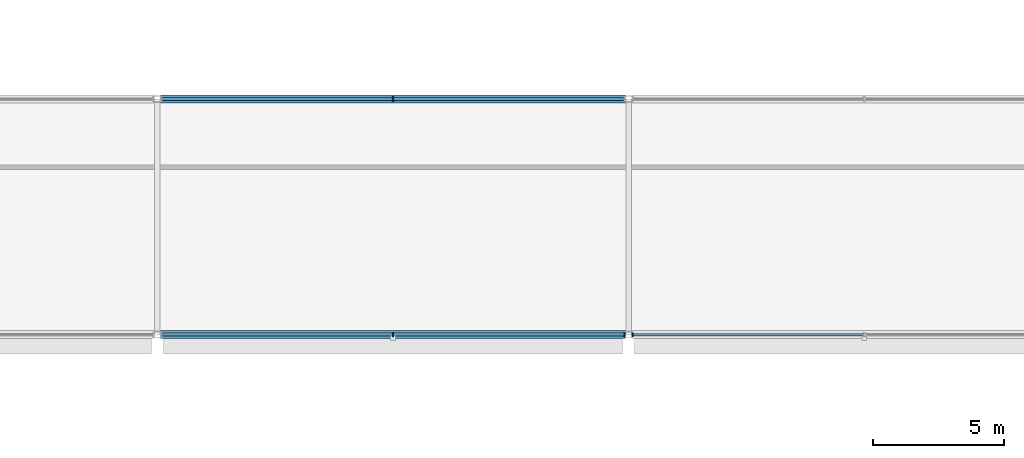
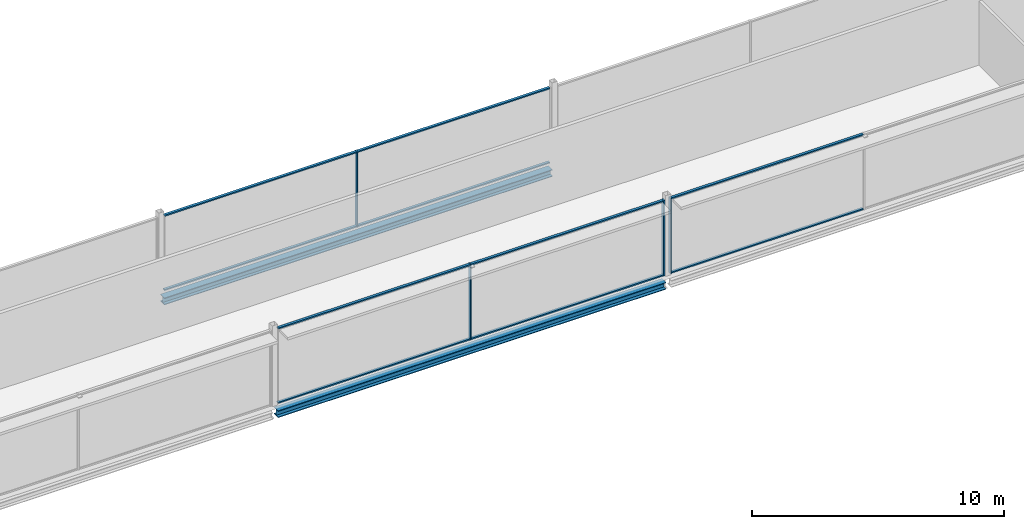
# One storey, part 35 of 96: 14 members, 2 beams, 3 elements without a shape of their own.
"""IFC4 building model written with IfcOpenShell, lengths in metres."""

from ifc_helpers import new_model, si_unit, direction, frame, origin, origin_2d, place, context, subcontext, project, spatial, rectangle, i_section, extrude, material, layer, layer_set, material_profile, profile_set, type_object, element, aggregate, save


model = new_model("IFC4")

# Units and contexts
model_context = context("Model", 3, precision=1e-05, world=origin(), true_north=direction((0.0, 1.0)))
body_context = subcontext(model_context, "Body", "Model", "MODEL_VIEW")
ifc_project = project(units=[si_unit("LENGTHUNIT", "METRE"), si_unit("AREAUNIT", "SQUARE_METRE"), si_unit("VOLUMEUNIT", "CUBIC_METRE"), si_unit("PLANEANGLEUNIT", "RADIAN"), si_unit("MASSUNIT", "GRAM", prefix="KILO")], contexts=[model_context])

# Site, building, storey
site_placement = place(None, origin())
site = spatial("IfcSite", under=ifc_project, at=site_placement, CompositionType="ELEMENT")
building_placement = place(site_placement, origin())
building = spatial("IfcBuilding", under=site, at=building_placement, Name="Kisiwana Market Hall", CompositionType="ELEMENT")
storey_placement = place(building_placement, frame((0.0, 0.0, 25.5)))
storey = spatial("IfcBuildingStorey", under=building, at=storey_placement, Name="L05", CompositionType="ELEMENT", Elevation=25.5)

# Beams
ifc_material_1 = material(Name="Steel S355", Category="steel")
ifc_material_profile_1 = material_profile(ifc_material_1, i_section(OverallWidth=0.314453125, OverallDepth=0.33984375, WebThickness=0.01904296875, FlangeThickness=0.031494140625, at=origin_2d()), Name="UC 305x305x198")
ifc_profile_set_1 = profile_set([ifc_material_profile_1], Name="Steel S355")
beam_type = type_object("IfcBeamType", Name="BM-SKYBR-CHORD", PredefinedType="BEAM", material=ifc_profile_set_1)
for number, where, z_axis, x_axis, name in (
    (1, (63.12109375, 93.0, -0.43505859375), (1.0, 0.0, 0.0), (0.0, 1.0, 0.0), "Floor beam B-1642"),
    (2, (63.12109375, 102.0, -0.43505859375), (1.0, 0.0, 0.0), (0.0, 1.0, 0.0), "Floor beam B-1652"),
):
    element("IfcBeam", number, at=place(storey_placement, frame(where, z_axis=z_axis, x_axis=x_axis)), inside=storey, type_object=beam_type, Name=name, PredefinedType="BEAM", context=body_context, shape_type="SweptSolid", body=[
        extrude(i_section(OverallWidth=0.314453125, OverallDepth=0.33984375, WebThickness=0.01904296875, FlangeThickness=0.031494140625, at=origin_2d()), origin(), (0.0, 0.0, 1.0), 17.7578125),
    ])

# Curtain wall, members
ifc_material_2 = material(Name="Double-glazed solar-control low-E IGU", Category="glass")
ifc_layer = layer(ifc_material_2, 0.159912109375)
ifc_layer_set = layer_set([ifc_layer], Name="CW-ZNA-EW-8200")
curtain_wall_type = type_object("IfcCurtainWallType", Name="CW-ZNA-EW-8200", PredefinedType="USERDEFINED", material=ifc_layer_set)
curtain_wall_1_placement = place(storey_placement, origin())
curtain_wall_1 = element("IfcCurtainWall", 3, at=curtain_wall_1_placement, inside=storey, type_object=curtain_wall_type, Name="Unitised curtain wall CW-145 (L05)", ObjectType="UNITISED CURTAIN WALL", PredefinedType="USERDEFINED")
ifc_material_3 = material(Name="Aluminium alloy 6063-T6", Category="aluminium")
ifc_material_profile_2 = material_profile(ifc_material_3, rectangle(XDim=0.06005859375, YDim=0.159912109375, at=origin_2d()), Name="ALU MULLION 60x160")
ifc_profile_set_2 = profile_set([ifc_material_profile_2], Name="Aluminium alloy 6063-T6")
member_type_1 = type_object("IfcMemberType", Name="CW-MULL-60x160", PredefinedType="MULLION", material=ifc_profile_set_2)
member_1_placement = place(storey_placement, frame((72.0, 93.0, 0.0), z_axis=(0.0, 0.0, 1.0), x_axis=(1.0, 0.0, 0.0)))
member_1 = element("IfcMember", 4, at=member_1_placement, type_object=member_type_1, Name="CW-145 mullion 2", PredefinedType="MULLION", context=body_context, shape_type="SweptSolid", body=[
    extrude(rectangle(XDim=0.06005859375, YDim=0.159912109375, at=origin_2d()), origin(), (0.0, 0.0, 1.0), 3.655029296875),
])
member_2_placement = place(storey_placement, frame((80.844970703125, 93.0, 0.0), z_axis=(0.0, 0.0, 1.0), x_axis=(1.0, 0.0, 0.0)))
member_2 = element("IfcMember", 5, at=member_2_placement, type_object=member_type_1, Name="CW-145 mullion 3", PredefinedType="MULLION", context=body_context, shape_type="SweptSolid", body=[
    extrude(rectangle(XDim=0.06005859375, YDim=0.159912109375, at=origin_2d()), origin(), (0.0, 0.0, 1.0), 3.655029296875),
])

# Curtain wall, member
curtain_wall_2_placement = place(storey_placement, origin())
curtain_wall_2 = element("IfcCurtainWall", 6, at=curtain_wall_2_placement, inside=storey, type_object=curtain_wall_type, Name="Unitised curtain wall CW-146 (L05)", ObjectType="UNITISED CURTAIN WALL", PredefinedType="USERDEFINED")
member_3_placement = place(storey_placement, frame((81.155029296875, 93.0, 0.0), z_axis=(0.0, 0.0, 1.0), x_axis=(1.0, 0.0, 0.0)))
member_3 = element("IfcMember", 7, at=member_3_placement, type_object=member_type_1, Name="CW-146 mullion 1", PredefinedType="MULLION", context=body_context, shape_type="SweptSolid", body=[
    extrude(rectangle(XDim=0.06005859375, YDim=0.159912109375, at=origin_2d()), origin(), (0.0, 0.0, 1.0), 3.655029296875),
])

curtain_wall_3_placement = place(storey_placement, origin())
curtain_wall_3 = element("IfcCurtainWall", 8, at=curtain_wall_3_placement, inside=storey, type_object=curtain_wall_type, Name="Unitised curtain wall CW-151 (L05)", ObjectType="UNITISED CURTAIN WALL", PredefinedType="USERDEFINED")
member_4_placement = place(storey_placement, frame((72.0, 102.0, 0.0), z_axis=(0.0, 0.0, 1.0), x_axis=(1.0, 0.0, 0.0)))
member_4 = element("IfcMember", 9, at=member_4_placement, type_object=member_type_1, Name="CW-151 mullion 2", PredefinedType="MULLION", context=body_context, shape_type="SweptSolid", body=[
    extrude(rectangle(XDim=0.06005859375, YDim=0.159912109375, at=origin_2d()), origin(), (0.0, 0.0, 1.0), 3.655029296875),
])

# Member
ifc_material_4 = material(Name="Aluminium alloy 6063-T6", Category="aluminium")
ifc_material_profile_3 = material_profile(ifc_material_4, rectangle(XDim=0.1201171875, YDim=0.06005859375, at=origin_2d()), Name="ALU TRANSOM 60x120")
ifc_profile_set_3 = profile_set([ifc_material_profile_3], Name="Aluminium alloy 6063-T6")
member_type_2 = type_object("IfcMemberType", Name="CW-TRAN-60x120", PredefinedType="USERDEFINED", material=ifc_profile_set_3)
member_5_placement = place(storey_placement, frame((63.18505859375, 93.0, 0.030029296875), z_axis=(1.0, 0.0, 0.0), x_axis=(0.0, 1.0, 0.0)))
member_5 = element("IfcMember", 10, at=member_5_placement, type_object=member_type_2, Name="CW-145 transom 1.1", ObjectType="TRANSOM", PredefinedType="USERDEFINED", context=body_context, shape_type="SweptSolid", body=[
    extrude(rectangle(XDim=0.1201171875, YDim=0.06005859375, at=origin_2d()), origin(), (0.0, 0.0, 1.0), 8.784912109375),
])

member_6_placement = place(storey_placement, frame((63.18505859375, 93.0, 3.625), z_axis=(1.0, 0.0, 0.0), x_axis=(0.0, 1.0, 0.0)))
member_6 = element("IfcMember", 11, at=member_6_placement, type_object=member_type_2, Name="CW-145 transom 1.2", ObjectType="TRANSOM", PredefinedType="USERDEFINED", context=body_context, shape_type="SweptSolid", body=[
    extrude(rectangle(XDim=0.1201171875, YDim=0.06005859375, at=origin_2d()), origin(), (0.0, 0.0, 1.0), 8.784912109375),
])

member_7_placement = place(storey_placement, frame((72.030029296875, 93.0, 0.030029296875), z_axis=(1.0, 0.0, 0.0), x_axis=(0.0, 1.0, 0.0)))
member_7 = element("IfcMember", 12, at=member_7_placement, type_object=member_type_2, Name="CW-145 transom 2.1", ObjectType="TRANSOM", PredefinedType="USERDEFINED", context=body_context, shape_type="SweptSolid", body=[
    extrude(rectangle(XDim=0.1201171875, YDim=0.06005859375, at=origin_2d()), origin(), (0.0, 0.0, 1.0), 8.784912109375),
])

member_8_placement = place(storey_placement, frame((72.030029296875, 93.0, 3.625), z_axis=(1.0, 0.0, 0.0), x_axis=(0.0, 1.0, 0.0)))
member_8 = element("IfcMember", 13, at=member_8_placement, type_object=member_type_2, Name="CW-145 transom 2.2", ObjectType="TRANSOM", PredefinedType="USERDEFINED", context=body_context, shape_type="SweptSolid", body=[
    extrude(rectangle(XDim=0.1201171875, YDim=0.06005859375, at=origin_2d()), origin(), (0.0, 0.0, 1.0), 8.784912109375),
])

aggregate(curtain_wall_1, [member_1, member_2, member_5, member_6, member_7, member_8])

member_9_placement = place(storey_placement, frame((81.18505859375, 93.0, 0.030029296875), z_axis=(1.0, 0.0, 0.0), x_axis=(0.0, 1.0, 0.0)))
member_9 = element("IfcMember", 14, at=member_9_placement, type_object=member_type_2, Name="CW-146 transom 1.1", ObjectType="TRANSOM", PredefinedType="USERDEFINED", context=body_context, shape_type="SweptSolid", body=[
    extrude(rectangle(XDim=0.1201171875, YDim=0.06005859375, at=origin_2d()), origin(), (0.0, 0.0, 1.0), 8.784912109375),
])

member_10_placement = place(storey_placement, frame((81.18505859375, 93.0, 3.625), z_axis=(1.0, 0.0, 0.0), x_axis=(0.0, 1.0, 0.0)))
member_10 = element("IfcMember", 15, at=member_10_placement, type_object=member_type_2, Name="CW-146 transom 1.2", ObjectType="TRANSOM", PredefinedType="USERDEFINED", context=body_context, shape_type="SweptSolid", body=[
    extrude(rectangle(XDim=0.1201171875, YDim=0.06005859375, at=origin_2d()), origin(), (0.0, 0.0, 1.0), 8.784912109375),
])

aggregate(curtain_wall_2, [member_3, member_9, member_10])

member_11_placement = place(storey_placement, frame((63.18505859375, 102.0, 0.030029296875), z_axis=(1.0, 0.0, 0.0), x_axis=(0.0, 1.0, 0.0)))
member_11 = element("IfcMember", 16, at=member_11_placement, type_object=member_type_2, Name="CW-151 transom 1.1", ObjectType="TRANSOM", PredefinedType="USERDEFINED", context=body_context, shape_type="SweptSolid", body=[
    extrude(rectangle(XDim=0.1201171875, YDim=0.06005859375, at=origin_2d()), origin(), (0.0, 0.0, 1.0), 8.784912109375),
])

member_12_placement = place(storey_placement, frame((63.18505859375, 102.0, 3.625), z_axis=(1.0, 0.0, 0.0), x_axis=(0.0, 1.0, 0.0)))
member_12 = element("IfcMember", 17, at=member_12_placement, type_object=member_type_2, Name="CW-151 transom 1.2", ObjectType="TRANSOM", PredefinedType="USERDEFINED", context=body_context, shape_type="SweptSolid", body=[
    extrude(rectangle(XDim=0.1201171875, YDim=0.06005859375, at=origin_2d()), origin(), (0.0, 0.0, 1.0), 8.784912109375),
])

member_13_placement = place(storey_placement, frame((72.030029296875, 102.0, 0.030029296875), z_axis=(1.0, 0.0, 0.0), x_axis=(0.0, 1.0, 0.0)))
member_13 = element("IfcMember", 18, at=member_13_placement, type_object=member_type_2, Name="CW-151 transom 2.1", ObjectType="TRANSOM", PredefinedType="USERDEFINED", context=body_context, shape_type="SweptSolid", body=[
    extrude(rectangle(XDim=0.1201171875, YDim=0.06005859375, at=origin_2d()), origin(), (0.0, 0.0, 1.0), 8.784912109375),
])

member_14_placement = place(storey_placement, frame((72.030029296875, 102.0, 3.625), z_axis=(1.0, 0.0, 0.0), x_axis=(0.0, 1.0, 0.0)))
member_14 = element("IfcMember", 19, at=member_14_placement, type_object=member_type_2, Name="CW-151 transom 2.2", ObjectType="TRANSOM", PredefinedType="USERDEFINED", context=body_context, shape_type="SweptSolid", body=[
    extrude(rectangle(XDim=0.1201171875, YDim=0.06005859375, at=origin_2d()), origin(), (0.0, 0.0, 1.0), 8.784912109375),
])

aggregate(curtain_wall_3, [member_4, member_11, member_12, member_13, member_14])

save(model, "model.ifc")
